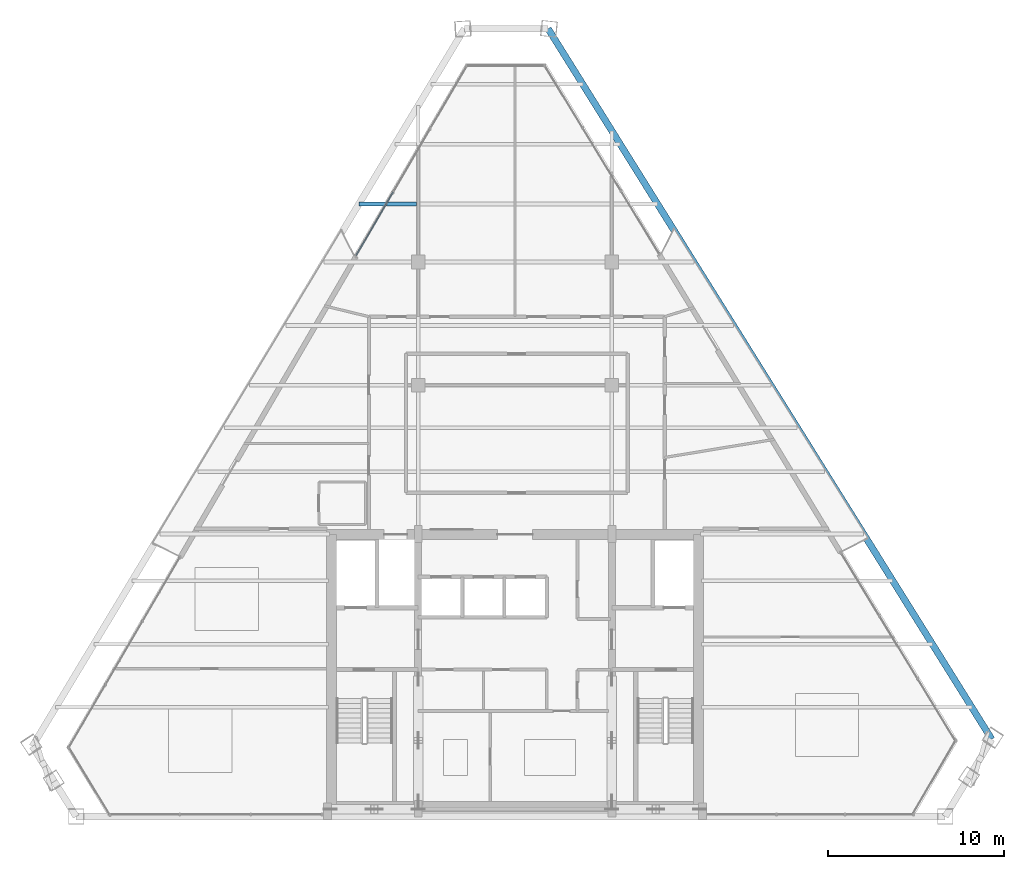
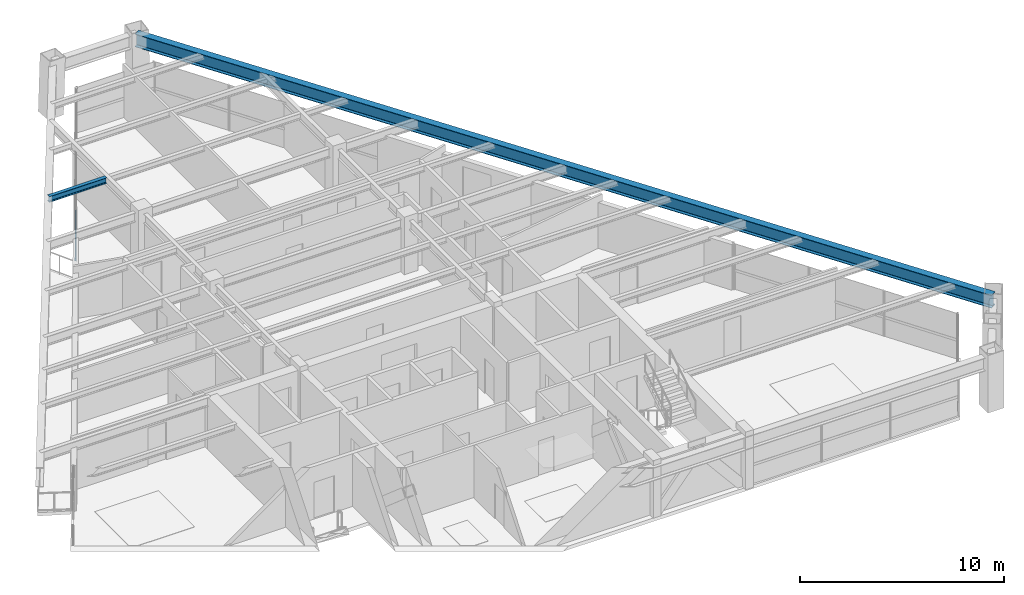
# One storey, part 6 of 13: 2 beams, 1 member, 1 element without a shape of its own.
"""IFC4 building model written with IfcOpenShell, lengths in metres."""

from ifc_helpers import new_model, si_unit, direction, frame, origin, origin_2d, place, context, subcontext, project, spatial, rectangle, i_section, extrude, source, transform, mapped, material, material_profile, profile_set, type_object, element, aggregate, save


model = new_model("IFC4")

# Units and contexts
model_context = context("Model", 3, precision=1e-05, world=origin(), true_north=direction((0.0, 1.0)))
body_context = subcontext(model_context, "Body", "Model", "MODEL_VIEW")
ifc_project = project(units=[si_unit("LENGTHUNIT", "METRE"), si_unit("AREAUNIT", "SQUARE_METRE"), si_unit("VOLUMEUNIT", "CUBIC_METRE"), si_unit("PLANEANGLEUNIT", "RADIAN"), si_unit("MASSUNIT", "GRAM", prefix="KILO")], contexts=[model_context])

# Site, building, storey
site_placement = place(None, origin())
site = spatial("IfcSite", under=ifc_project, at=site_placement, CompositionType="ELEMENT")
building_placement = place(site_placement, origin())
building = spatial("IfcBuilding", under=site, at=building_placement, Name="Varnakhor Terracotta Tower", CompositionType="ELEMENT")
storey_placement = place(building_placement, frame((0.0, 0.0, 254.5)))
storey = spatial("IfcBuildingStorey", under=building, at=storey_placement, Name="L66", CompositionType="ELEMENT", Elevation=254.5)

# Beams
ifc_material_1 = material(Name="Steel S355", Category="steel")
ifc_material_profile_1 = material_profile(ifc_material_1, i_section(OverallWidth=0.381103515625, OverallDepth=0.77294921875, WebThickness=0.01708984375, FlangeThickness=0.027099609375, FilletRadius=0.01806640625, at=origin_2d()), Name="W30X173")
ifc_profile_set_1 = profile_set([ifc_material_profile_1], Name="Steel S355")
beam_type_1 = type_object("IfcBeamType", Name="BM-W30X173", PredefinedType="BEAM", material=ifc_profile_set_1)
shared_shape_1 = source(origin(), body_context, "Body", "SweptSolid", [
    extrude(i_section(OverallWidth=0.381103515625, OverallDepth=0.77294921875, WebThickness=0.01708984375, FlangeThickness=0.027099609375, FilletRadius=0.01806640625, at=origin_2d()), origin(), (0.0, 0.0, 1.0), 47.58935546875),
])
beam_1_placement = place(storey_placement, frame((27.083984375, 4.39208984375, 2.763427734375), z_axis=(-0.529630903166, 0.848228215996, 0.0), x_axis=(-0.848228215996, -0.529630903166, 0.0)))
element("IfcBeam", 1, at=beam_1_placement, inside=storey, type_object=beam_type_1, Name="L66 Perimeter Spandrel 4", PredefinedType="BEAM", context=body_context, shape_type="MappedRepresentation", body=[
    mapped(shared_shape_1, transform((0.0, 0.0, 0.0), scale=1.0)),
])
ifc_material_profile_2 = material_profile(ifc_material_1, i_section(OverallWidth=0.202880859375, OverallDepth=0.346923828125, WebThickness=0.0078125, FlangeThickness=0.013427734375, FilletRadius=0.01806640625, at=origin_2d()), Name="W14X43")
ifc_profile_set_2 = profile_set([ifc_material_profile_2], Name="Steel S355")
beam_type_2 = type_object("IfcBeamType", Name="JST-W14X43", PredefinedType="JOIST", material=ifc_profile_set_2)
shared_shape_2 = source(origin(), body_context, "Body", "SweptSolid", [
    extrude(i_section(OverallWidth=0.202880859375, OverallDepth=0.346923828125, WebThickness=0.0078125, FlangeThickness=0.013427734375, FilletRadius=0.01806640625, at=origin_2d()), origin(), (0.0, 0.0, 1.0), 3.267578125),
])
beam_2_placement = place(storey_placement, frame((-8.87060546875, 34.800048828125, 2.9765625), z_axis=(1.0, 0.0, 0.0), x_axis=(0.0, 1.0, 0.0)))
element("IfcBeam", 2, at=beam_2_placement, inside=storey, type_object=beam_type_2, Name="L66 Composite Floor Joist 7-1", PredefinedType="JOIST", context=body_context, shape_type="MappedRepresentation", body=[
    mapped(shared_shape_2, transform((0.0, 0.0, 0.0), scale=1.0)),
])

# Curtain wall, member
ifc_material_2 = material(Name="Anodised Aluminium Curtain Wall System", Category="aluminium")
curtain_wall_type = type_object("IfcCurtainWallType", Name="CW-SYS-HOTEL-LOGGIA", PredefinedType="NOTDEFINED", material=ifc_material_2)
curtain_wall_placement = place(storey_placement, origin())
curtain_wall = element("IfcCurtainWall", 3, at=curtain_wall_placement, inside=storey, type_object=curtain_wall_type, Name="L66 W Facet Curtain Wall 2", PredefinedType="NOTDEFINED")
ifc_material_3 = material(Name="Anodised Aluminium 6063-T6", Category="aluminium")
ifc_material_profile_3 = material_profile(ifc_material_3, rectangle(XDim=0.06494140625, YDim=0.14501953125, at=origin_2d()), Name="ALU TRANSOM 65x145")
ifc_profile_set_3 = profile_set([ifc_material_profile_3], Name="Anodised Aluminium 6063-T6")
member_type = type_object("IfcMemberType", Name="CWT-04", PredefinedType="USERDEFINED", material=ifc_profile_set_3)
shared_shape_3 = source(origin(), body_context, "Body", "SweptSolid", [
    extrude(rectangle(XDim=0.06494140625, YDim=0.14501953125, at=origin_2d()), origin(), (0.0, 0.0, 1.0), 4.17919921875),
])
member_placement = place(storey_placement, frame((-9.03369140625, 31.865234375, 1.146484375), z_axis=(0.504201516714, 0.863586029613, 0.0), x_axis=(-0.863586029613, 0.504201516714, 0.0)))
member = element("IfcMember", 4, at=member_placement, type_object=member_type, Name="L66 W Facet Curtain Wall 2 Transom 1", ObjectType="TRANSOM", PredefinedType="USERDEFINED", context=body_context, shape_type="MappedRepresentation", body=[
    mapped(shared_shape_3, transform((0.0, 0.0, 0.0), scale=1.0)),
])
aggregate(curtain_wall, [member])

save(model, "model.ifc")
